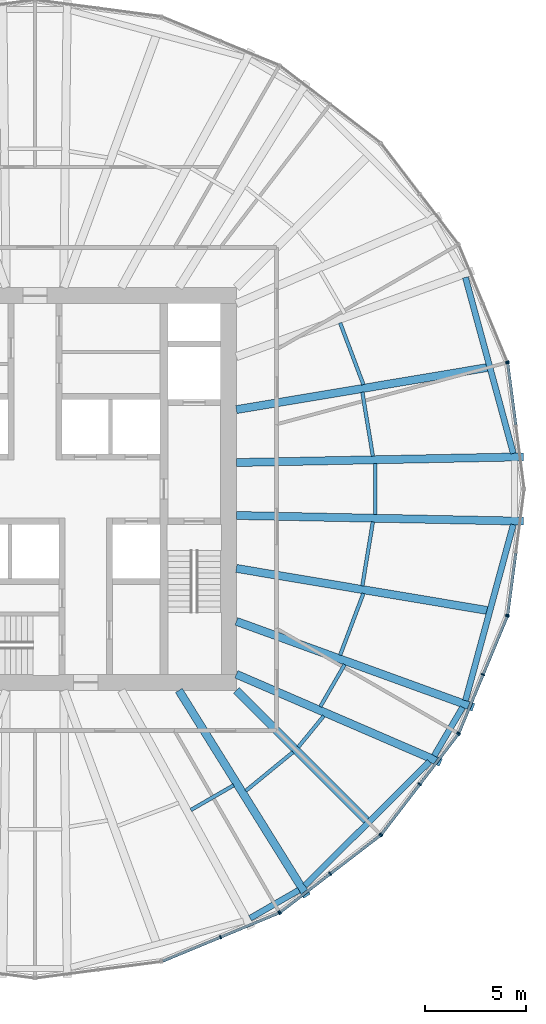
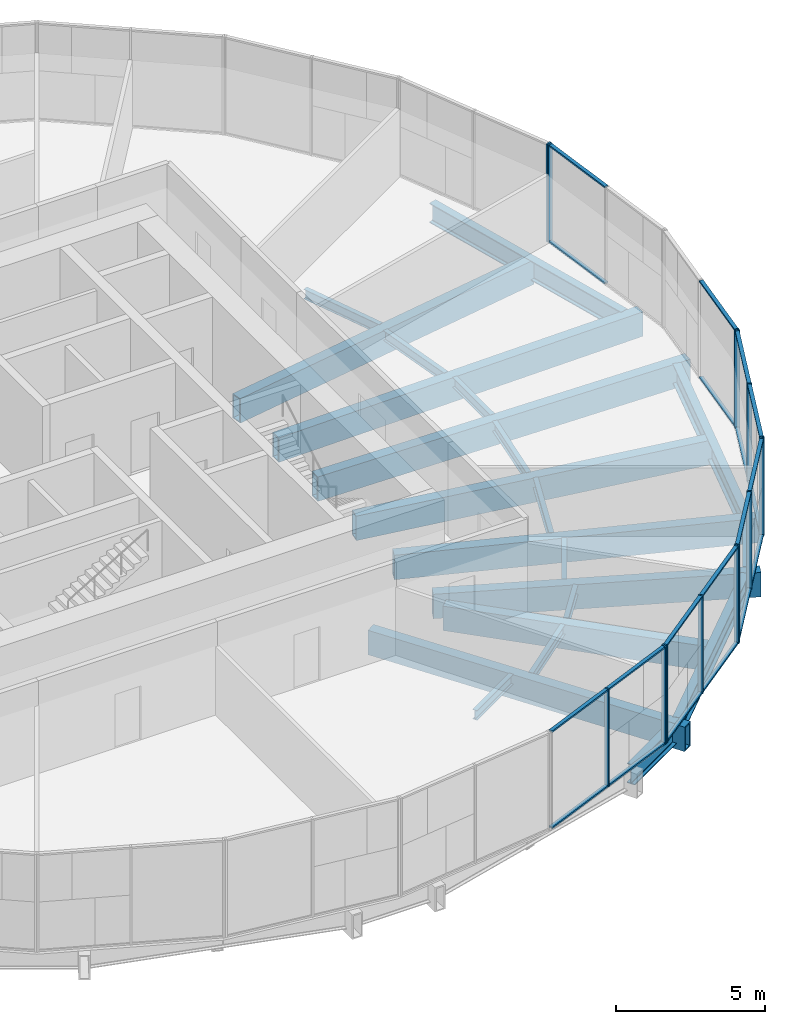
# One storey, part 4 of 13: 34 members, 22 beams, 7 elements without a shape of their own.
"""IFC4 building model written with IfcOpenShell, lengths in metres."""

from ifc_helpers import new_model, si_unit, direction, frame, origin, origin_2d, place, context, subcontext, project, spatial, rectangle, hollow_rectangle, i_section, extrude, material, material_profile, profile_set, type_object, element, aggregate, save


model = new_model("IFC4")

# Units and contexts
model_context = context("Model", 3, precision=1e-05, world=origin(), true_north=direction((0.0, 1.0)))
body_context = subcontext(model_context, "Body", "Model", "MODEL_VIEW")
ifc_project = project(units=[si_unit("LENGTHUNIT", "METRE"), si_unit("AREAUNIT", "SQUARE_METRE"), si_unit("VOLUMEUNIT", "CUBIC_METRE"), si_unit("PLANEANGLEUNIT", "RADIAN"), si_unit("MASSUNIT", "GRAM", prefix="KILO")], contexts=[model_context])

# Site, building, storey
site_placement = place(None, origin())
site = spatial("IfcSite", under=ifc_project, at=site_placement, CompositionType="ELEMENT")
building_placement = place(site_placement, origin())
building = spatial("IfcBuilding", under=site, at=building_placement, Name="Golbaran Civic Tower", CompositionType="ELEMENT")
storey_placement = place(building_placement, frame((0.0, 0.0, 81.0)))
storey = spatial("IfcBuildingStorey", under=building, at=storey_placement, Name="L19", CompositionType="ELEMENT", Elevation=81.0)

# Beams
ifc_material_1 = material(Name="Steel S355", Category="steel")
ifc_material_profile_1 = material_profile(ifc_material_1, i_section(OverallWidth=0.300048828125, OverallDepth=0.800048828125, WebThickness=0.017578125, FlangeThickness=0.032958984375, FilletRadius=0.030029296875, at=origin_2d()), Name="HEB 800")
ifc_profile_set_1 = profile_set([ifc_material_profile_1], Name="Steel S355")
beam_type_1 = type_object("IfcBeamType", Name="EDGE BEAM HEB 800", PredefinedType="BEAM", material=ifc_profile_set_1)
beam_1_placement = place(storey_placement, frame((23.75048828125, 1.767333984375, -0.60009765625), z_axis=(-0.262357723601, 0.964970686014, 0.0), x_axis=(-0.964970686014, -0.262357723601, 0.0)))
element("IfcBeam", 1, at=beam_1_placement, inside=storey, type_object=beam_type_1, Name="Edge beam 3.70 L19", PredefinedType="BEAM", context=body_context, shape_type="SweptSolid", body=[
    extrude(i_section(OverallWidth=0.300048828125, OverallDepth=0.800048828125, WebThickness=0.017578125, FlangeThickness=0.032958984375, FilletRadius=0.030029296875, at=origin_2d()), origin(), (0.0, 0.0, 1.0), 9.05615234375),
])
beam_2_placement = place(storey_placement, frame((10.68310546875, -21.3134765625, -0.60009765625), z_axis=(0.866130378223, 0.499818134844, 0.0), x_axis=(-0.499818134844, 0.866130378223, 0.0)))
element("IfcBeam", 2, at=beam_2_placement, inside=storey, type_object=beam_type_1, Name="Edge beam 296.30 L19", PredefinedType="BEAM", context=body_context, shape_type="SweptSolid", body=[
    extrude(i_section(OverallWidth=0.300048828125, OverallDepth=0.800048828125, WebThickness=0.017578125, FlangeThickness=0.032958984375, FilletRadius=0.030029296875, at=origin_2d()), origin(), (0.0, 0.0, 1.0), 2.7978515625),
])
beam_3_placement = place(storey_placement, frame((13.3935546875, -19.695068359375, -0.60009765625), z_axis=(0.70960352002, 0.704601195269, 0.0), x_axis=(-0.704601195269, 0.70960352002, 0.0)))
element("IfcBeam", 3, at=beam_3_placement, inside=storey, type_object=beam_type_1, Name="Edge beam 303.70 L19", PredefinedType="BEAM", context=body_context, shape_type="SweptSolid", body=[
    extrude(i_section(OverallWidth=0.300048828125, OverallDepth=0.800048828125, WebThickness=0.017578125, FlangeThickness=0.032958984375, FilletRadius=0.030029296875, at=origin_2d()), origin(), (0.0, 0.0, 1.0), 8.736083984375),
])
beam_4_placement = place(storey_placement, frame((19.822021484375, -13.24658203125, -0.60009765625), z_axis=(0.505995527103, 0.862536101593, 0.0), x_axis=(-0.862536101593, 0.505995527103, 0.0)))
element("IfcBeam", 4, at=beam_4_placement, inside=storey, type_object=beam_type_1, Name="Edge beam 326.30 L19", PredefinedType="BEAM", context=body_context, shape_type="SweptSolid", body=[
    extrude(i_section(OverallWidth=0.300048828125, OverallDepth=0.800048828125, WebThickness=0.017578125, FlangeThickness=0.032958984375, FilletRadius=0.030029296875, at=origin_2d()), origin(), (0.0, 0.0, 1.0), 2.791748046875),
])
beam_5_placement = place(storey_placement, frame((21.37451171875, -10.50634765625, -0.60009765625), z_axis=(0.262357723601, 0.964970686014, 0.0), x_axis=(-0.964970686014, 0.262357723601, 0.0)))
element("IfcBeam", 5, at=beam_5_placement, inside=storey, type_object=beam_type_1, Name="Edge beam 333.70 L19", PredefinedType="BEAM", context=body_context, shape_type="SweptSolid", body=[
    extrude(i_section(OverallWidth=0.300048828125, OverallDepth=0.800048828125, WebThickness=0.017578125, FlangeThickness=0.032958984375, FilletRadius=0.030029296875, at=origin_2d()), origin(), (0.0, 0.0, 1.0), 9.05615234375),
])
ifc_material_profile_2 = material_profile(ifc_material_1, i_section(OverallWidth=0.179931640625, OverallDepth=0.39990234375, WebThickness=0.008544921875, FlangeThickness=0.013427734375, FilletRadius=0.02099609375, at=origin_2d()), Name="IPE 400")
ifc_profile_set_2 = profile_set([ifc_material_profile_2], Name="Steel S355")
beam_type_2 = type_object("IfcBeamType", Name="FLOOR INFILL BEAM IPE 400", PredefinedType="BEAM", material=ifc_profile_set_2)
beam_6_placement = place(storey_placement, frame((16.778076171875, 1.62890625, -0.39990234375), z_axis=(-0.16244509713, 0.986717583921, 0.0), x_axis=(-0.986717583921, -0.16244509713, 0.0)))
element("IfcBeam", 6, at=beam_6_placement, inside=storey, type_object=beam_type_2, Name="Infill beam 9.35 L19", PredefinedType="BEAM", context=body_context, shape_type="SweptSolid", body=[
    extrude(i_section(OverallWidth=0.179931640625, OverallDepth=0.39990234375, WebThickness=0.008544921875, FlangeThickness=0.013427734375, FilletRadius=0.02099609375, at=origin_2d()), origin(), (0.0, 0.0, 1.0), 3.22216796875),
])
beam_7_placement = place(storey_placement, frame((16.3076171875, 5.182373046875, -0.39990234375), z_axis=(-0.35269054468, 0.935740017149, 0.0), x_axis=(-0.935740017149, -0.35269054468, 0.0)))
element("IfcBeam", 7, at=beam_7_placement, inside=storey, type_object=beam_type_2, Name="Infill beam 20.65 L19", PredefinedType="BEAM", context=body_context, shape_type="SweptSolid", body=[
    extrude(i_section(OverallWidth=0.179931640625, OverallDepth=0.39990234375, WebThickness=0.008544921875, FlangeThickness=0.013427734375, FilletRadius=0.02099609375, at=origin_2d()), origin(), (0.0, 0.0, 1.0), 3.277099609375),
])
beam_8_placement = place(storey_placement, frame((7.740966796875, -15.938232421875, -0.39990234375), z_axis=(0.866029801145, 0.49999238347, 0.0), x_axis=(-0.49999238347, 0.866029801145, 0.0)))
element("IfcBeam", 8, at=beam_8_placement, inside=storey, type_object=beam_type_2, Name="Infill beam 300.00 L19", PredefinedType="BEAM", context=body_context, shape_type="SweptSolid", body=[
    extrude(i_section(OverallWidth=0.179931640625, OverallDepth=0.39990234375, WebThickness=0.008544921875, FlangeThickness=0.013427734375, FilletRadius=0.02099609375, at=origin_2d()), origin(), (0.0, 0.0, 1.0), 2.453125),
])
beam_9_placement = place(storey_placement, frame((10.462646484375, -14.98974609375, -0.39990234375), z_axis=(0.773311950951, 0.634025730169, 0.0), x_axis=(-0.634025730169, 0.773311950951, 0.0)))
element("IfcBeam", 9, at=beam_9_placement, inside=storey, type_object=beam_type_2, Name="Infill beam 309.35 L19", PredefinedType="BEAM", context=body_context, shape_type="SweptSolid", body=[
    extrude(i_section(OverallWidth=0.179931640625, OverallDepth=0.39990234375, WebThickness=0.008544921875, FlangeThickness=0.013427734375, FilletRadius=0.02099609375, at=origin_2d()), origin(), (0.0, 0.0, 1.0), 3.035888671875),
])
beam_10_placement = place(storey_placement, frame((13.07080078125, -12.816162109375, -0.39990234375), z_axis=(0.634002188449, 0.77333125182, 0.0), x_axis=(-0.77333125182, 0.634002188449, 0.0)))
element("IfcBeam", 10, at=beam_10_placement, inside=storey, type_object=beam_type_2, Name="Infill beam 320.65 L19", PredefinedType="BEAM", context=body_context, shape_type="SweptSolid", body=[
    extrude(i_section(OverallWidth=0.179931640625, OverallDepth=0.39990234375, WebThickness=0.008544921875, FlangeThickness=0.013427734375, FilletRadius=0.02099609375, at=origin_2d()), origin(), (0.0, 0.0, 1.0), 1.999267578125),
])
beam_11_placement = place(storey_placement, frame((14.169677734375, -10.804931640625, -0.39990234375), z_axis=(0.500031663174, 0.866007122271, 0.0), x_axis=(-0.866007122271, 0.500031663174, 0.0)))
element("IfcBeam", 11, at=beam_11_placement, inside=storey, type_object=beam_type_2, Name="Infill beam 330.00 L19", PredefinedType="BEAM", context=body_context, shape_type="SweptSolid", body=[
    extrude(i_section(OverallWidth=0.179931640625, OverallDepth=0.39990234375, WebThickness=0.008544921875, FlangeThickness=0.013427734375, FilletRadius=0.02099609375, at=origin_2d()), origin(), (0.0, 0.0, 1.0), 2.414794921875),
])
beam_12_placement = place(storey_placement, frame((15.15185546875, -8.248779296875, -0.39990234375), z_axis=(0.35269054468, 0.935740017149, 0.0), x_axis=(-0.935740017149, 0.35269054468, 0.0)))
element("IfcBeam", 12, at=beam_12_placement, inside=storey, type_object=beam_type_2, Name="Infill beam 339.35 L19", PredefinedType="BEAM", context=body_context, shape_type="SweptSolid", body=[
    extrude(i_section(OverallWidth=0.179931640625, OverallDepth=0.39990234375, WebThickness=0.008544921875, FlangeThickness=0.013427734375, FilletRadius=0.02099609375, at=origin_2d()), origin(), (0.0, 0.0, 1.0), 3.277099609375),
])
beam_13_placement = place(storey_placement, frame((16.254638671875, -4.808349609375, -0.39990234375), z_axis=(0.16244509713, 0.986717583921, 0.0), x_axis=(-0.986717583921, 0.16244509713, 0.0)))
element("IfcBeam", 13, at=beam_13_placement, inside=storey, type_object=beam_type_2, Name="Infill beam 350.65 L19", PredefinedType="BEAM", context=body_context, shape_type="SweptSolid", body=[
    extrude(i_section(OverallWidth=0.179931640625, OverallDepth=0.39990234375, WebThickness=0.008544921875, FlangeThickness=0.013427734375, FilletRadius=0.02099609375, at=origin_2d()), origin(), (0.0, 0.0, 1.0), 3.22216796875),
])
beam_14_placement = place(storey_placement, frame((16.899658203125, -1.271240234375, -0.39990234375), z_axis=(0.0, 1.0, 0.0), x_axis=(-1.0, 0.0, 0.0)))
element("IfcBeam", 14, at=beam_14_placement, inside=storey, type_object=beam_type_2, Name="Infill beam 0.00 L19", PredefinedType="BEAM", context=body_context, shape_type="SweptSolid", body=[
    extrude(i_section(OverallWidth=0.179931640625, OverallDepth=0.39990234375, WebThickness=0.008544921875, FlangeThickness=0.013427734375, FilletRadius=0.02099609375, at=origin_2d()), origin(), (0.0, 0.0, 1.0), 2.54248046875),
])

# Curtain wall, member
ifc_material_2 = material(Name="Aluminium and glass", Category="aluminium")
curtain_wall_type = type_object("IfcCurtainWallType", Name="INNER SKIN CURTAIN WALL", PredefinedType="NOTDEFINED", material=ifc_material_2)
curtain_wall_1_placement = place(storey_placement, origin())
curtain_wall_1 = element("IfcCurtainWall", 15, at=curtain_wall_1_placement, inside=storey, type_object=curtain_wall_type, Name="Inner skin L19 facet 1 CW1", ObjectType="INNER SKIN", PredefinedType="USERDEFINED")
ifc_material_3 = material(Name="Aluminium", Category="aluminium")
ifc_material_profile_3 = material_profile(ifc_material_3, rectangle(XDim=0.179931640625, YDim=0.06494140625, at=origin_2d()), Name="INNER SKIN CURTAIN WALL MULLION")
ifc_profile_set_3 = profile_set([ifc_material_profile_3], Name="Aluminium")
member_type_1 = type_object("IfcMemberType", Name="INNER SKIN CURTAIN WALL MULLION", PredefinedType="MULLION", material=ifc_profile_set_3)
member_1_placement = place(storey_placement, frame((23.466552734375, 6.25439453125, 0.0), z_axis=(0.0, 0.0, 1.0), x_axis=(-0.991444861383, -0.130526192151, 0.0)))
member_1 = element("IfcMember", 16, at=member_1_placement, type_object=member_type_1, Name="CW1 mullion 3", PredefinedType="MULLION", context=body_context, shape_type="SweptSolid", body=[
    extrude(rectangle(XDim=0.179931640625, YDim=0.06494140625, at=origin_2d()), origin(), (0.0, 0.0, 1.0), 4.0),
])

curtain_wall_2_placement = place(storey_placement, origin())
curtain_wall_2 = element("IfcCurtainWall", 17, at=curtain_wall_2_placement, inside=storey, type_object=curtain_wall_type, Name="Inner skin L19 facet 2 CW1", ObjectType="INNER SKIN", PredefinedType="USERDEFINED")
member_2_placement = place(storey_placement, frame((23.449951171875, 6.316650390625, 0.0), z_axis=(0.0, 0.0, 1.0), x_axis=(-0.923879532478, -0.382683432446, 0.0)))
member_2 = element("IfcMember", 18, at=member_2_placement, type_object=member_type_1, Name="CW1 mullion 1", PredefinedType="MULLION", context=body_context, shape_type="SweptSolid", body=[
    extrude(rectangle(XDim=0.179931640625, YDim=0.06494140625, at=origin_2d()), origin(), (0.0, 0.0, 1.0), 4.0),
])
aggregate(curtain_wall_2, [member_2])

# Curtain wall, members
curtain_wall_3_placement = place(storey_placement, origin())
curtain_wall_3 = element("IfcCurtainWall", 19, at=curtain_wall_3_placement, inside=storey, type_object=curtain_wall_type, Name="Inner skin L19 facet 20 CW1", ObjectType="INNER SKIN", PredefinedType="USERDEFINED")
member_3_placement = place(storey_placement, frame((9.2158203125, -22.2490234375, 0.0), z_axis=(0.0, 0.0, 1.0), x_axis=(-0.382683432446, 0.923879532478, 0.0)))
member_3 = element("IfcMember", 20, at=member_3_placement, type_object=member_type_1, Name="CW1 mullion 2", PredefinedType="MULLION", context=body_context, shape_type="SweptSolid", body=[
    extrude(rectangle(XDim=0.179931640625, YDim=0.06494140625, at=origin_2d()), origin(), (0.0, 0.0, 1.0), 4.0),
])
member_4_placement = place(storey_placement, frame((12.114990234375, -21.048095703125, 0.0), z_axis=(0.0, 0.0, 1.0), x_axis=(-0.382683432446, 0.923879532478, 0.0)))
member_4 = element("IfcMember", 21, at=member_4_placement, type_object=member_type_1, Name="CW1 mullion 3", PredefinedType="MULLION", context=body_context, shape_type="SweptSolid", body=[
    extrude(rectangle(XDim=0.179931640625, YDim=0.06494140625, at=origin_2d()), origin(), (0.0, 0.0, 1.0), 4.0),
])

curtain_wall_4_placement = place(storey_placement, origin())
curtain_wall_4 = element("IfcCurtainWall", 22, at=curtain_wall_4_placement, inside=storey, type_object=curtain_wall_type, Name="Inner skin L19 facet 21 CW1", ObjectType="INNER SKIN", PredefinedType="USERDEFINED")
member_5_placement = place(storey_placement, frame((12.1708984375, -21.015869140625, 0.0), z_axis=(0.0, 0.0, 1.0), x_axis=(-0.608761429023, 0.793353340281, 0.0)))
member_5 = element("IfcMember", 23, at=member_5_placement, type_object=member_type_1, Name="CW1 mullion 1", PredefinedType="MULLION", context=body_context, shape_type="SweptSolid", body=[
    extrude(rectangle(XDim=0.179931640625, YDim=0.06494140625, at=origin_2d()), origin(), (0.0, 0.0, 1.0), 4.0),
])
member_6_placement = place(storey_placement, frame((14.660400390625, -19.105712890625, 0.0), z_axis=(0.0, 0.0, 1.0), x_axis=(-0.608761429023, 0.793353340281, 0.0)))
member_6 = element("IfcMember", 24, at=member_6_placement, type_object=member_type_1, Name="CW1 mullion 2", PredefinedType="MULLION", context=body_context, shape_type="SweptSolid", body=[
    extrude(rectangle(XDim=0.179931640625, YDim=0.06494140625, at=origin_2d()), origin(), (0.0, 0.0, 1.0), 4.0),
])
member_7_placement = place(storey_placement, frame((17.14990234375, -17.1953125, 0.0), z_axis=(0.0, 0.0, 1.0), x_axis=(-0.608761429023, 0.793353340281, 0.0)))
member_7 = element("IfcMember", 25, at=member_7_placement, type_object=member_type_1, Name="CW1 mullion 3", PredefinedType="MULLION", context=body_context, shape_type="SweptSolid", body=[
    extrude(rectangle(XDim=0.179931640625, YDim=0.06494140625, at=origin_2d()), origin(), (0.0, 0.0, 1.0), 4.0),
])

curtain_wall_5_placement = place(storey_placement, origin())
curtain_wall_5 = element("IfcCurtainWall", 26, at=curtain_wall_5_placement, inside=storey, type_object=curtain_wall_type, Name="Inner skin L19 facet 22 CW1", ObjectType="INNER SKIN", PredefinedType="USERDEFINED")
member_8_placement = place(storey_placement, frame((17.1953125, -17.14990234375, 0.0), z_axis=(0.0, 0.0, 1.0), x_axis=(-0.793353340281, 0.608761429023, 0.0)))
member_8 = element("IfcMember", 27, at=member_8_placement, type_object=member_type_1, Name="CW1 mullion 1", PredefinedType="MULLION", context=body_context, shape_type="SweptSolid", body=[
    extrude(rectangle(XDim=0.179931640625, YDim=0.06494140625, at=origin_2d()), origin(), (0.0, 0.0, 1.0), 4.0),
])
member_9_placement = place(storey_placement, frame((19.105712890625, -14.660400390625, 0.0), z_axis=(0.0, 0.0, 1.0), x_axis=(-0.793353340281, 0.608761429023, 0.0)))
member_9 = element("IfcMember", 28, at=member_9_placement, type_object=member_type_1, Name="CW1 mullion 2", PredefinedType="MULLION", context=body_context, shape_type="SweptSolid", body=[
    extrude(rectangle(XDim=0.179931640625, YDim=0.06494140625, at=origin_2d()), origin(), (0.0, 0.0, 1.0), 4.0),
])
member_10_placement = place(storey_placement, frame((21.015869140625, -12.1708984375, 0.0), z_axis=(0.0, 0.0, 1.0), x_axis=(-0.793353340281, 0.608761429023, 0.0)))
member_10 = element("IfcMember", 29, at=member_10_placement, type_object=member_type_1, Name="CW1 mullion 3", PredefinedType="MULLION", context=body_context, shape_type="SweptSolid", body=[
    extrude(rectangle(XDim=0.179931640625, YDim=0.06494140625, at=origin_2d()), origin(), (0.0, 0.0, 1.0), 4.0),
])

curtain_wall_6_placement = place(storey_placement, origin())
curtain_wall_6 = element("IfcCurtainWall", 30, at=curtain_wall_6_placement, inside=storey, type_object=curtain_wall_type, Name="Inner skin L19 facet 23 CW1", ObjectType="INNER SKIN", PredefinedType="USERDEFINED")
member_11_placement = place(storey_placement, frame((21.048095703125, -12.114990234375, 0.0), z_axis=(0.0, 0.0, 1.0), x_axis=(-0.923879532478, 0.382683432446, 0.0)))
member_11 = element("IfcMember", 31, at=member_11_placement, type_object=member_type_1, Name="CW1 mullion 1", PredefinedType="MULLION", context=body_context, shape_type="SweptSolid", body=[
    extrude(rectangle(XDim=0.179931640625, YDim=0.06494140625, at=origin_2d()), origin(), (0.0, 0.0, 1.0), 4.0),
])
member_12_placement = place(storey_placement, frame((22.2490234375, -9.2158203125, 0.0), z_axis=(0.0, 0.0, 1.0), x_axis=(-0.923879532478, 0.382683432446, 0.0)))
member_12 = element("IfcMember", 32, at=member_12_placement, type_object=member_type_1, Name="CW1 mullion 2", PredefinedType="MULLION", context=body_context, shape_type="SweptSolid", body=[
    extrude(rectangle(XDim=0.179931640625, YDim=0.06494140625, at=origin_2d()), origin(), (0.0, 0.0, 1.0), 4.0),
])
member_13_placement = place(storey_placement, frame((23.449951171875, -6.316650390625, 0.0), z_axis=(0.0, 0.0, 1.0), x_axis=(-0.923879532478, 0.382683432446, 0.0)))
member_13 = element("IfcMember", 33, at=member_13_placement, type_object=member_type_1, Name="CW1 mullion 3", PredefinedType="MULLION", context=body_context, shape_type="SweptSolid", body=[
    extrude(rectangle(XDim=0.179931640625, YDim=0.06494140625, at=origin_2d()), origin(), (0.0, 0.0, 1.0), 4.0),
])

# Curtain wall, member
curtain_wall_7_placement = place(storey_placement, origin())
curtain_wall_7 = element("IfcCurtainWall", 34, at=curtain_wall_7_placement, inside=storey, type_object=curtain_wall_type, Name="Inner skin L19 facet 24 CW1", ObjectType="INNER SKIN", PredefinedType="USERDEFINED")
member_14_placement = place(storey_placement, frame((23.466552734375, -6.25439453125, 0.0), z_axis=(0.0, 0.0, 1.0), x_axis=(-0.991444861383, 0.130526192151, 0.0)))
member_14 = element("IfcMember", 35, at=member_14_placement, type_object=member_type_1, Name="CW1 mullion 1", PredefinedType="MULLION", context=body_context, shape_type="SweptSolid", body=[
    extrude(rectangle(XDim=0.179931640625, YDim=0.06494140625, at=origin_2d()), origin(), (0.0, 0.0, 1.0), 4.0),
])

# Member
ifc_material_profile_4 = material_profile(ifc_material_3, rectangle(XDim=0.139892578125, YDim=0.06494140625, at=origin_2d()), Name="INNER SKIN CURTAIN WALL TRANSOM")
ifc_profile_set_4 = profile_set([ifc_material_profile_4], Name="Aluminium")
member_type_2 = type_object("IfcMemberType", Name="INNER SKIN CURTAIN WALL TRANSOM", PredefinedType="USERDEFINED", material=ifc_profile_set_4)
member_15_placement = place(storey_placement, frame((23.871826171875, 3.175537109375, 0.032470703125), z_axis=(-0.130534664207, 0.991443745979, 0.0), x_axis=(-0.991443745979, -0.130534664207, 0.0)))
member_15 = element("IfcMember", 36, at=member_15_placement, type_object=member_type_2, Name="CW1 transom 2.1", ObjectType="TRANSOM", PredefinedType="USERDEFINED", context=body_context, shape_type="SweptSolid", body=[
    extrude(rectangle(XDim=0.139892578125, YDim=0.06494140625, at=origin_2d()), origin(), (0.0, 0.0, 1.0), 3.072998046875),
])

member_16_placement = place(storey_placement, frame((23.871826171875, 3.175537109375, 3.967529296875), z_axis=(-0.130534664207, 0.991443745979, 0.0), x_axis=(-0.991443745979, -0.130534664207, 0.0)))
member_16 = element("IfcMember", 37, at=member_16_placement, type_object=member_type_2, Name="CW1 transom 2.2", ObjectType="TRANSOM", PredefinedType="USERDEFINED", context=body_context, shape_type="SweptSolid", body=[
    extrude(rectangle(XDim=0.139892578125, YDim=0.06494140625, at=origin_2d()), origin(), (0.0, 0.0, 1.0), 3.072998046875),
])

aggregate(curtain_wall_1, [member_1, member_15, member_16])

member_17_placement = place(storey_placement, frame((6.3466796875, -23.4375, 0.032470703125), z_axis=(0.923876429189, 0.382690924362, 0.0), x_axis=(-0.382690924362, 0.923876429189, 0.0)))
member_17 = element("IfcMember", 38, at=member_17_placement, type_object=member_type_2, Name="CW1 transom 1.1", ObjectType="TRANSOM", PredefinedType="USERDEFINED", context=body_context, shape_type="SweptSolid", body=[
    extrude(rectangle(XDim=0.139892578125, YDim=0.06494140625, at=origin_2d()), origin(), (0.0, 0.0, 1.0), 3.072998046875),
])

member_18_placement = place(storey_placement, frame((6.3466796875, -23.4375, 3.967529296875), z_axis=(0.923876429189, 0.382690924362, 0.0), x_axis=(-0.382690924362, 0.923876429189, 0.0)))
member_18 = element("IfcMember", 39, at=member_18_placement, type_object=member_type_2, Name="CW1 transom 1.2", ObjectType="TRANSOM", PredefinedType="USERDEFINED", context=body_context, shape_type="SweptSolid", body=[
    extrude(rectangle(XDim=0.139892578125, YDim=0.06494140625, at=origin_2d()), origin(), (0.0, 0.0, 1.0), 3.072998046875),
])

member_19_placement = place(storey_placement, frame((9.245849609375, -22.236572265625, 0.032470703125), z_axis=(0.923876429189, 0.382690924362, 0.0), x_axis=(-0.382690924362, 0.923876429189, 0.0)))
member_19 = element("IfcMember", 40, at=member_19_placement, type_object=member_type_2, Name="CW1 transom 2.1", ObjectType="TRANSOM", PredefinedType="USERDEFINED", context=body_context, shape_type="SweptSolid", body=[
    extrude(rectangle(XDim=0.139892578125, YDim=0.06494140625, at=origin_2d()), origin(), (0.0, 0.0, 1.0), 3.072998046875),
])

member_20_placement = place(storey_placement, frame((9.245849609375, -22.236572265625, 3.967529296875), z_axis=(0.923876429189, 0.382690924362, 0.0), x_axis=(-0.382690924362, 0.923876429189, 0.0)))
member_20 = element("IfcMember", 41, at=member_20_placement, type_object=member_type_2, Name="CW1 transom 2.2", ObjectType="TRANSOM", PredefinedType="USERDEFINED", context=body_context, shape_type="SweptSolid", body=[
    extrude(rectangle(XDim=0.139892578125, YDim=0.06494140625, at=origin_2d()), origin(), (0.0, 0.0, 1.0), 3.072998046875),
])

aggregate(curtain_wall_3, [member_3, member_4, member_17, member_18, member_19, member_20])

member_21_placement = place(storey_placement, frame((12.196533203125, -20.99609375, 0.032470703125), z_axis=(0.793373572809, 0.608735060571, 0.0), x_axis=(-0.608735060571, 0.793373572809, 0.0)))
member_21 = element("IfcMember", 42, at=member_21_placement, type_object=member_type_2, Name="CW1 transom 1.1", ObjectType="TRANSOM", PredefinedType="USERDEFINED", context=body_context, shape_type="SweptSolid", body=[
    extrude(rectangle(XDim=0.139892578125, YDim=0.06494140625, at=origin_2d()), origin(), (0.0, 0.0, 1.0), 3.072998046875),
])

member_22_placement = place(storey_placement, frame((12.196533203125, -20.99609375, 3.967529296875), z_axis=(0.793373572809, 0.608735060571, 0.0), x_axis=(-0.608735060571, 0.793373572809, 0.0)))
member_22 = element("IfcMember", 43, at=member_22_placement, type_object=member_type_2, Name="CW1 transom 1.2", ObjectType="TRANSOM", PredefinedType="USERDEFINED", context=body_context, shape_type="SweptSolid", body=[
    extrude(rectangle(XDim=0.139892578125, YDim=0.06494140625, at=origin_2d()), origin(), (0.0, 0.0, 1.0), 3.072998046875),
])

member_23_placement = place(storey_placement, frame((14.68603515625, -19.0859375, 0.032470703125), z_axis=(0.793335203052, 0.60878506519, 0.0), x_axis=(-0.60878506519, 0.793335203052, 0.0)))
member_23 = element("IfcMember", 44, at=member_23_placement, type_object=member_type_2, Name="CW1 transom 2.1", ObjectType="TRANSOM", PredefinedType="USERDEFINED", context=body_context, shape_type="SweptSolid", body=[
    extrude(rectangle(XDim=0.139892578125, YDim=0.06494140625, at=origin_2d()), origin(), (0.0, 0.0, 1.0), 3.072998046875),
])

member_24_placement = place(storey_placement, frame((14.68603515625, -19.0859375, 3.967529296875), z_axis=(0.793335203052, 0.60878506519, 0.0), x_axis=(-0.60878506519, 0.793335203052, 0.0)))
member_24 = element("IfcMember", 45, at=member_24_placement, type_object=member_type_2, Name="CW1 transom 2.2", ObjectType="TRANSOM", PredefinedType="USERDEFINED", context=body_context, shape_type="SweptSolid", body=[
    extrude(rectangle(XDim=0.139892578125, YDim=0.06494140625, at=origin_2d()), origin(), (0.0, 0.0, 1.0), 3.072998046875),
])

aggregate(curtain_wall_4, [member_5, member_6, member_7, member_21, member_22, member_23, member_24])

member_25_placement = place(storey_placement, frame((17.215087890625, -17.1240234375, 0.032470703125), z_axis=(0.60878506519, 0.793335203052, 0.0), x_axis=(-0.793335203052, 0.60878506519, 0.0)))
member_25 = element("IfcMember", 46, at=member_25_placement, type_object=member_type_2, Name="CW1 transom 1.1", ObjectType="TRANSOM", PredefinedType="USERDEFINED", context=body_context, shape_type="SweptSolid", body=[
    extrude(rectangle(XDim=0.139892578125, YDim=0.06494140625, at=origin_2d()), origin(), (0.0, 0.0, 1.0), 3.072998046875),
])

member_26_placement = place(storey_placement, frame((17.215087890625, -17.1240234375, 3.967529296875), z_axis=(0.60878506519, 0.793335203052, 0.0), x_axis=(-0.793335203052, 0.60878506519, 0.0)))
member_26 = element("IfcMember", 47, at=member_26_placement, type_object=member_type_2, Name="CW1 transom 1.2", ObjectType="TRANSOM", PredefinedType="USERDEFINED", context=body_context, shape_type="SweptSolid", body=[
    extrude(rectangle(XDim=0.139892578125, YDim=0.06494140625, at=origin_2d()), origin(), (0.0, 0.0, 1.0), 3.072998046875),
])

member_27_placement = place(storey_placement, frame((19.12548828125, -14.634521484375, 0.032470703125), z_axis=(0.608735060571, 0.793373572809, 0.0), x_axis=(-0.793373572809, 0.608735060571, 0.0)))
member_27 = element("IfcMember", 48, at=member_27_placement, type_object=member_type_2, Name="CW1 transom 2.1", ObjectType="TRANSOM", PredefinedType="USERDEFINED", context=body_context, shape_type="SweptSolid", body=[
    extrude(rectangle(XDim=0.139892578125, YDim=0.06494140625, at=origin_2d()), origin(), (0.0, 0.0, 1.0), 3.072998046875),
])

member_28_placement = place(storey_placement, frame((19.12548828125, -14.634521484375, 3.967529296875), z_axis=(0.608735060571, 0.793373572809, 0.0), x_axis=(-0.793373572809, 0.608735060571, 0.0)))
member_28 = element("IfcMember", 49, at=member_28_placement, type_object=member_type_2, Name="CW1 transom 2.2", ObjectType="TRANSOM", PredefinedType="USERDEFINED", context=body_context, shape_type="SweptSolid", body=[
    extrude(rectangle(XDim=0.139892578125, YDim=0.06494140625, at=origin_2d()), origin(), (0.0, 0.0, 1.0), 3.072998046875),
])

aggregate(curtain_wall_5, [member_8, member_9, member_10, member_25, member_26, member_27, member_28])

member_29_placement = place(storey_placement, frame((21.060546875, -12.0849609375, 0.032470703125), z_axis=(0.382690924362, 0.923876429189, 0.0), x_axis=(-0.923876429189, 0.382690924362, 0.0)))
member_29 = element("IfcMember", 50, at=member_29_placement, type_object=member_type_2, Name="CW1 transom 1.1", ObjectType="TRANSOM", PredefinedType="USERDEFINED", context=body_context, shape_type="SweptSolid", body=[
    extrude(rectangle(XDim=0.139892578125, YDim=0.06494140625, at=origin_2d()), origin(), (0.0, 0.0, 1.0), 3.072998046875),
])

member_30_placement = place(storey_placement, frame((21.060546875, -12.0849609375, 3.967529296875), z_axis=(0.382690924362, 0.923876429189, 0.0), x_axis=(-0.923876429189, 0.382690924362, 0.0)))
member_30 = element("IfcMember", 51, at=member_30_placement, type_object=member_type_2, Name="CW1 transom 1.2", ObjectType="TRANSOM", PredefinedType="USERDEFINED", context=body_context, shape_type="SweptSolid", body=[
    extrude(rectangle(XDim=0.139892578125, YDim=0.06494140625, at=origin_2d()), origin(), (0.0, 0.0, 1.0), 3.072998046875),
])

member_31_placement = place(storey_placement, frame((22.261474609375, -9.185791015625, 0.032470703125), z_axis=(0.382690924362, 0.923876429189, 0.0), x_axis=(-0.923876429189, 0.382690924362, 0.0)))
member_31 = element("IfcMember", 52, at=member_31_placement, type_object=member_type_2, Name="CW1 transom 2.1", ObjectType="TRANSOM", PredefinedType="USERDEFINED", context=body_context, shape_type="SweptSolid", body=[
    extrude(rectangle(XDim=0.139892578125, YDim=0.06494140625, at=origin_2d()), origin(), (0.0, 0.0, 1.0), 3.072998046875),
])

member_32_placement = place(storey_placement, frame((22.261474609375, -9.185791015625, 3.967529296875), z_axis=(0.382690924362, 0.923876429189, 0.0), x_axis=(-0.923876429189, 0.382690924362, 0.0)))
member_32 = element("IfcMember", 53, at=member_32_placement, type_object=member_type_2, Name="CW1 transom 2.2", ObjectType="TRANSOM", PredefinedType="USERDEFINED", context=body_context, shape_type="SweptSolid", body=[
    extrude(rectangle(XDim=0.139892578125, YDim=0.06494140625, at=origin_2d()), origin(), (0.0, 0.0, 1.0), 3.072998046875),
])

aggregate(curtain_wall_6, [member_11, member_12, member_13, member_29, member_30, member_31, member_32])

member_33_placement = place(storey_placement, frame((23.470703125, -6.22216796875, 0.032470703125), z_axis=(0.130534664207, 0.991443745979, 0.0), x_axis=(-0.991443745979, 0.130534664207, 0.0)))
member_33 = element("IfcMember", 54, at=member_33_placement, type_object=member_type_2, Name="CW1 transom 1.1", ObjectType="TRANSOM", PredefinedType="USERDEFINED", context=body_context, shape_type="SweptSolid", body=[
    extrude(rectangle(XDim=0.139892578125, YDim=0.06494140625, at=origin_2d()), origin(), (0.0, 0.0, 1.0), 3.072998046875),
])

member_34_placement = place(storey_placement, frame((23.470703125, -6.22216796875, 3.967529296875), z_axis=(0.130534664207, 0.991443745979, 0.0), x_axis=(-0.991443745979, 0.130534664207, 0.0)))
member_34 = element("IfcMember", 55, at=member_34_placement, type_object=member_type_2, Name="CW1 transom 1.2", ObjectType="TRANSOM", PredefinedType="USERDEFINED", context=body_context, shape_type="SweptSolid", body=[
    extrude(rectangle(XDim=0.139892578125, YDim=0.06494140625, at=origin_2d()), origin(), (0.0, 0.0, 1.0), 3.072998046875),
])

aggregate(curtain_wall_7, [member_14, member_33, member_34])

# Beams
ifc_material_profile_5 = material_profile(ifc_material_1, hollow_rectangle(XDim=0.39990234375, YDim=1.0, WallThickness=0.050048828125, at=origin_2d()), Name="BOX 1000x400x50")
ifc_profile_set_5 = profile_set([ifc_material_profile_5], Name="Steel S355")
beam_type_3 = type_object("IfcBeamType", Name="RADIAL FLOOR BEAM BOX 1000x400x50", PredefinedType="BEAM", material=ifc_profile_set_5)
beam_15_placement = place(storey_placement, frame((10.0, 1.314208984375, -0.7099609375), z_axis=(0.999802869694, 0.019855018298, 0.0), x_axis=(-0.019855018298, 0.999802869694, 0.0)))
element("IfcBeam", 56, at=beam_15_placement, inside=storey, type_object=beam_type_3, Name="Radial beam 3.70 L19", PredefinedType="BEAM", context=body_context, shape_type="SweptSolid", body=[
    extrude(hollow_rectangle(XDim=0.39990234375, YDim=1.0, WallThickness=0.050048828125, at=origin_2d()), origin(), (0.0, 0.0, 1.0), 14.263671875),
])
beam_16_placement = place(storey_placement, frame((7.142822265625, -10.0, -0.7099609375), z_axis=(0.528687505514, -0.848816541729, 0.0), x_axis=(0.848816541729, 0.528687505514, 0.0)))
element("IfcBeam", 57, at=beam_16_placement, inside=storey, type_object=beam_type_3, Name="Radial beam 303.70 L19", PredefinedType="BEAM", context=body_context, shape_type="SweptSolid", body=[
    extrude(hollow_rectangle(XDim=0.39990234375, YDim=1.0, WallThickness=0.050048828125, at=origin_2d()), origin(), (0.0, 0.0, 1.0), 12.037353515625),
])
beam_17_placement = place(storey_placement, frame((10.0, -9.199951171875, -0.7099609375), z_axis=(0.918014134051, -0.396547663821, 0.0), x_axis=(0.396547663821, 0.918014134051, 0.0)))
element("IfcBeam", 58, at=beam_17_placement, inside=storey, type_object=beam_type_3, Name="Radial beam 326.30 L19", PredefinedType="BEAM", context=body_context, shape_type="SweptSolid", body=[
    extrude(hollow_rectangle(XDim=0.39990234375, YDim=1.0, WallThickness=0.050048828125, at=origin_2d()), origin(), (0.0, 0.0, 1.0), 11.057861328125),
])
beam_18_placement = place(storey_placement, frame((10.0, -6.571533203125, -0.7099609375), z_axis=(0.940054931233, -0.34102305826, 0.0), x_axis=(0.34102305826, 0.940054931233, 0.0)))
element("IfcBeam", 59, at=beam_18_placement, inside=storey, type_object=beam_type_3, Name="Radial beam 333.70 L19", PredefinedType="BEAM", context=body_context, shape_type="SweptSolid", body=[
    extrude(hollow_rectangle(XDim=0.39990234375, YDim=1.0, WallThickness=0.050048828125, at=origin_2d()), origin(), (0.0, 0.0, 1.0), 12.525390625),
])
beam_19_placement = place(storey_placement, frame((10.0, -1.314208984375, -0.7099609375), z_axis=(0.999802869694, -0.019855018298, 0.0), x_axis=(0.019855018298, 0.999802869694, 0.0)))
element("IfcBeam", 60, at=beam_19_placement, inside=storey, type_object=beam_type_3, Name="Radial beam 356.30 L19", PredefinedType="BEAM", context=body_context, shape_type="SweptSolid", body=[
    extrude(hollow_rectangle(XDim=0.39990234375, YDim=1.0, WallThickness=0.050048828125, at=origin_2d()), origin(), (0.0, 0.0, 1.0), 14.263671875),
])
ifc_material_profile_6 = material_profile(ifc_material_1, hollow_rectangle(XDim=0.39990234375, YDim=1.0, WallThickness=0.0400390625, at=origin_2d()), Name="BOX 1000x400x40")
ifc_profile_set_6 = profile_set([ifc_material_profile_6], Name="Steel S355")
beam_type_4 = type_object("IfcBeamType", Name="SECONDARY FLOOR BEAM BOX 1000x400x40", PredefinedType="BEAM", material=ifc_profile_set_6)
beam_20_placement = place(storey_placement, frame((10.0, 3.94287109375, -0.7099609375), z_axis=(0.986250321422, 0.165258293272, 0.0), x_axis=(-0.165258293272, 0.986250321422, 0.0)))
element("IfcBeam", 61, at=beam_20_placement, inside=storey, type_object=beam_type_4, Name="Secondary beam 15.00 L19", PredefinedType="BEAM", context=body_context, shape_type="SweptSolid", body=[
    extrude(hollow_rectangle(XDim=0.39990234375, YDim=1.0, WallThickness=0.0400390625, at=origin_2d()), origin(), (0.0, 0.0, 1.0), 12.76123046875),
])
beam_21_placement = place(storey_placement, frame((10.0, -10.0, -0.7099609375), z_axis=(0.707106781187, -0.707106781187, 0.0), x_axis=(0.707106781187, 0.707106781187, 0.0)))
element("IfcBeam", 62, at=beam_21_placement, inside=storey, type_object=beam_type_4, Name="Secondary beam 315.00 L19", PredefinedType="BEAM", context=body_context, shape_type="SweptSolid", body=[
    extrude(hollow_rectangle(XDim=0.39990234375, YDim=1.0, WallThickness=0.0400390625, at=origin_2d()), origin(), (0.0, 0.0, 1.0), 9.270751953125),
])
beam_22_placement = place(storey_placement, frame((10.0, -3.94287109375, -0.7099609375), z_axis=(0.986250321422, -0.165258293272, 0.0), x_axis=(0.165258293272, 0.986250321422, 0.0)))
element("IfcBeam", 63, at=beam_22_placement, inside=storey, type_object=beam_type_4, Name="Secondary beam 345.00 L19", PredefinedType="BEAM", context=body_context, shape_type="SweptSolid", body=[
    extrude(hollow_rectangle(XDim=0.39990234375, YDim=1.0, WallThickness=0.0400390625, at=origin_2d()), origin(), (0.0, 0.0, 1.0), 12.76123046875),
])

save(model, "model.ifc")
